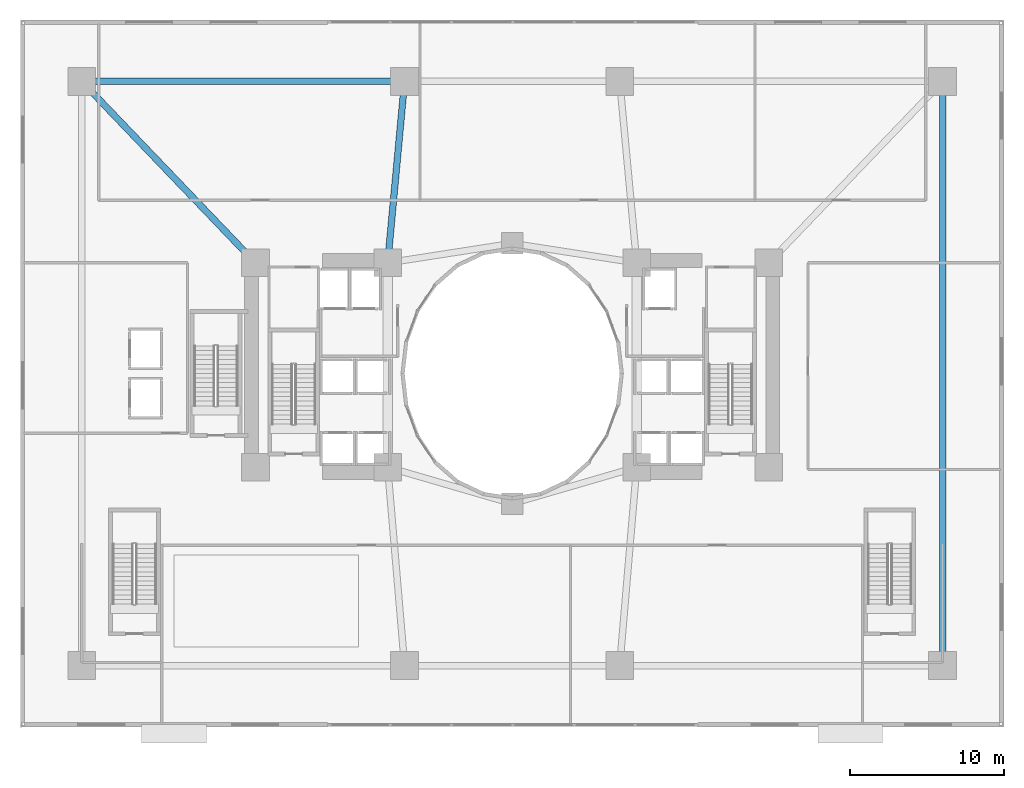
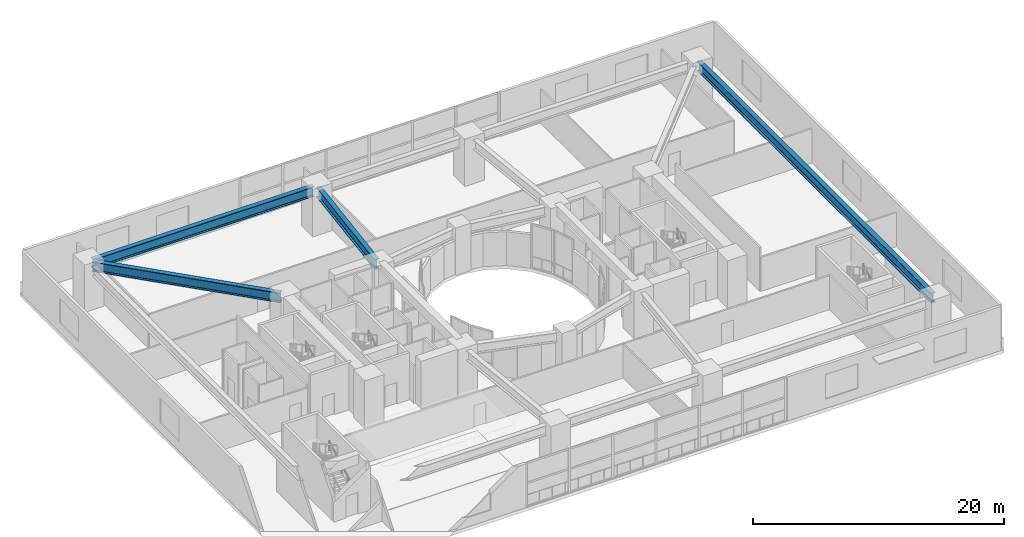
# One storey, part 9 of 25: 4 beams.
"""IFC4 building model written with IfcOpenShell, lengths in metres."""

from ifc_helpers import new_model, si_unit, direction, frame, origin, origin_2d, place, context, subcontext, project, spatial, i_section, extrude, material, material_profile, profile_set, type_object, element, save


model = new_model("IFC4")

# Units and contexts
model_context = context("Model", 3, precision=1e-05, world=origin(), true_north=direction((0.0, 1.0)))
body_context = subcontext(model_context, "Body", "Model", "MODEL_VIEW")
ifc_project = project(units=[si_unit("LENGTHUNIT", "METRE"), si_unit("AREAUNIT", "SQUARE_METRE"), si_unit("VOLUMEUNIT", "CUBIC_METRE"), si_unit("PLANEANGLEUNIT", "RADIAN"), si_unit("MASSUNIT", "GRAM", prefix="KILO")], contexts=[model_context])

# Site, building, storey
site_placement = place(None, origin())
site = spatial("IfcSite", under=ifc_project, at=site_placement, CompositionType="ELEMENT")
building_placement = place(site_placement, origin())
building = spatial("IfcBuilding", under=site, at=building_placement, Name="Solvane Sanctuary Tower", CompositionType="ELEMENT")
storey_placement = place(building_placement, frame((0.0, 0.0, 4.60009765625)))
storey = spatial("IfcBuildingStorey", under=building, at=storey_placement, Name="L02", CompositionType="ELEMENT", Elevation=4.60009765625)

# Beams
ifc_material = material(Name="Steel ASTM A913 Grade 65", Category="steel")
ifc_material_profile = material_profile(ifc_material, i_section(OverallWidth=0.423095703125, OverallDepth=0.947998046875, WebThickness=0.02392578125, FlangeThickness=0.042724609375, FilletRadius=0.02392578125, at=origin_2d()), Name="W36X302")
ifc_profile_set = profile_set([ifc_material_profile], Name="Steel ASTM A913 Grade 65")
beam_type = type_object("IfcBeamType", Name="Beam B-POD-GIRD W36X302", PredefinedType="BEAM", material=ifc_profile_set)
beam_1_placement = place(storey_placement, frame((60.0, 4.35009765625, 3.803955078125), z_axis=(0.0, 1.0, 0.0), x_axis=(-1.0, 0.0, 0.0)))
element("IfcBeam", 1, at=beam_1_placement, inside=storey, type_object=beam_type, Name="L02 Podium Primary Girder PG4", PredefinedType="BEAM", context=body_context, shape_type="SweptSolid", body=[
    extrude(i_section(OverallWidth=0.423095703125, OverallDepth=0.947998046875, WebThickness=0.02392578125, FlangeThickness=0.042724609375, FilletRadius=0.02392578125, at=origin_2d()), origin(), (0.0, 0.0, 1.0), 37.2998046875),
])
beam_2_placement = place(storey_placement, frame((24.64990234375, 42.0, 3.803955078125), z_axis=(-1.0, 0.0, 0.0), x_axis=(0.0, -1.0, 0.0)))
element("IfcBeam", 2, at=beam_2_placement, inside=storey, type_object=beam_type, Name="L02 Podium Primary Girder PG7", PredefinedType="BEAM", context=body_context, shape_type="SweptSolid", body=[
    extrude(i_section(OverallWidth=0.423095703125, OverallDepth=0.947998046875, WebThickness=0.02392578125, FlangeThickness=0.042724609375, FilletRadius=0.02392578125, at=origin_2d()), origin(), (0.0, 0.0, 1.0), 20.2998046875),
])
beam_3_placement = place(storey_placement, frame((24.967529296875, 41.651611328125, 3.803955078125), z_axis=(-0.092807615301, -0.9956840596, 0.0), x_axis=(0.9956840596, -0.092807615301, 0.0)))
element("IfcBeam", 3, at=beam_3_placement, inside=storey, type_object=beam_type, Name="L02 Podium Primary Girder PG11", PredefinedType="BEAM", context=body_context, shape_type="SweptSolid", body=[
    extrude(i_section(OverallWidth=0.423095703125, OverallDepth=0.947998046875, WebThickness=0.02392578125, FlangeThickness=0.042724609375, FilletRadius=0.02392578125, at=origin_2d()), origin(), (0.0, 0.0, 1.0), 11.151123046875),
])
beam_4_placement = place(storey_placement, frame((4.2421875, 41.747314453125, 3.803955078125), z_axis=(0.691633366234, -0.722248770654, 0.0), x_axis=(0.722248770654, 0.691633366234, 0.0)))
element("IfcBeam", 4, at=beam_4_placement, inside=storey, type_object=beam_type, Name="L02 Podium Primary Girder PG14", PredefinedType="BEAM", context=body_context, shape_type="SweptSolid", body=[
    extrude(i_section(OverallWidth=0.423095703125, OverallDepth=0.947998046875, WebThickness=0.02392578125, FlangeThickness=0.042724609375, FilletRadius=0.02392578125, at=origin_2d()), origin(), (0.0, 0.0, 1.0), 15.637939453125),
])

save(model, "model.ifc")
